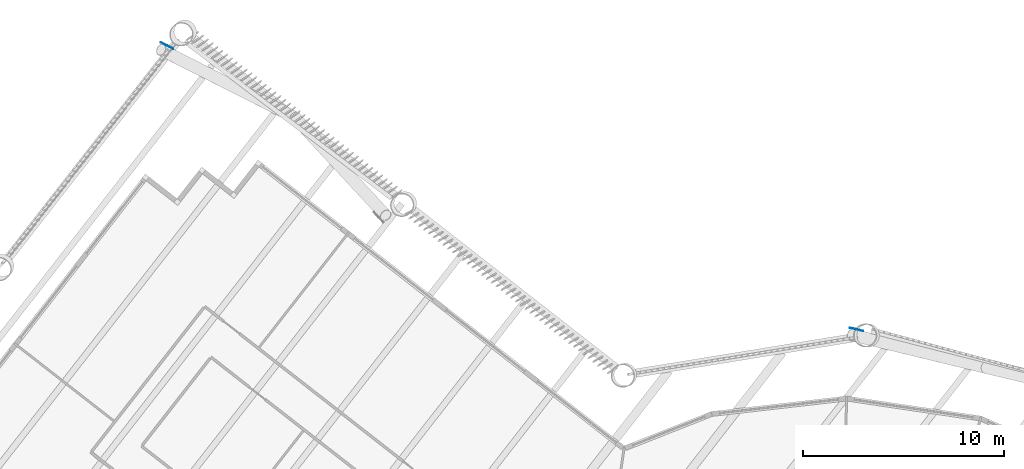
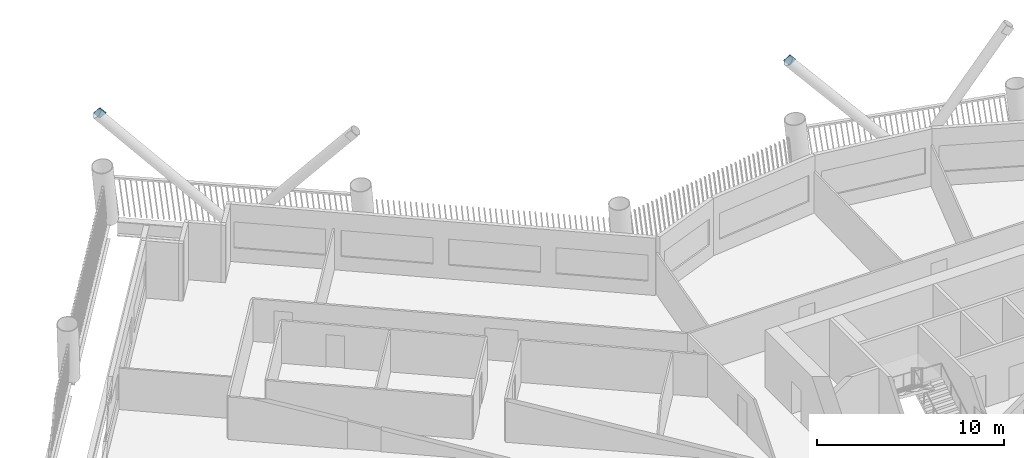
# One storey, part 12 of 22: 2 discrete accessories.
"""IFC4 building model written with IfcOpenShell, lengths in metres."""

from ifc_helpers import new_model, si_unit, direction, frame, origin, origin_2d, place, context, subcontext, project, spatial, rectangle, extrude, material, material_profile, profile_set, type_object, element, save


model = new_model("IFC4")

# Units and contexts
model_context = context("Model", 3, precision=1e-05, world=origin(), true_north=direction((0.0, 1.0)))
body_context = subcontext(model_context, "Body", "Model", "MODEL_VIEW")
ifc_project = project(units=[si_unit("LENGTHUNIT", "METRE"), si_unit("AREAUNIT", "SQUARE_METRE"), si_unit("VOLUMEUNIT", "CUBIC_METRE"), si_unit("PLANEANGLEUNIT", "RADIAN"), si_unit("MASSUNIT", "GRAM", prefix="KILO")], contexts=[model_context])

# Site, building, storey
site_placement = place(None, origin())
site = spatial("IfcSite", under=ifc_project, at=site_placement, CompositionType="ELEMENT")
building_placement = place(site_placement, origin())
building = spatial("IfcBuilding", under=site, at=building_placement, Name="Tarsis Ring Headquarters", CompositionType="ELEMENT")
storey_placement = place(building_placement, frame((0.0, 0.0, 116.199951171875)))
storey = spatial("IfcBuildingStorey", under=building, at=storey_placement, Name="L26", CompositionType="ELEMENT", Elevation=116.199951171875)

# Discrete accessories
ifc_material = material(Name="Structural steel S355", Category="steel")
ifc_material_profile = material_profile(ifc_material, rectangle(XDim=0.02490234375, YDim=0.5, at=origin_2d()), Name="PL 25x500")
ifc_profile_set = profile_set([ifc_material_profile], Name="Structural steel S355")
discrete_accessory_type = type_object("IfcDiscreteAccessoryType", Name="Gusset plate Exo brace 25", PredefinedType="BRACKET", material=ifc_profile_set)
for number, where, z_axis, x_axis, name in (
    (1, (0.7705078125, 29.3486328125, 7.800048828125), (0.643965208844, -0.156231134822, -0.748933002552), (0.235768720419, 0.971809194478, 0.0), "Gusset plate GP5"),
    (2, (-33.572509765625, 43.528076171875, 7.800048828125), (0.617155644715, -0.312483870742, -0.722130695042), (0.45172514337, 0.892157158155, 0.0), "Gusset plate GP5"),
):
    element("IfcDiscreteAccessory", number, at=place(storey_placement, frame(where, z_axis=z_axis, x_axis=x_axis)), inside=storey, type_object=discrete_accessory_type, Name=name, PredefinedType="BRACKET", context=body_context, shape_type="SweptSolid", body=[
        extrude(rectangle(XDim=0.02490234375, YDim=0.5, at=origin_2d()), origin(), (0.0, 0.0, 1.0), 0.5),
    ])

save(model, "model.ifc")
